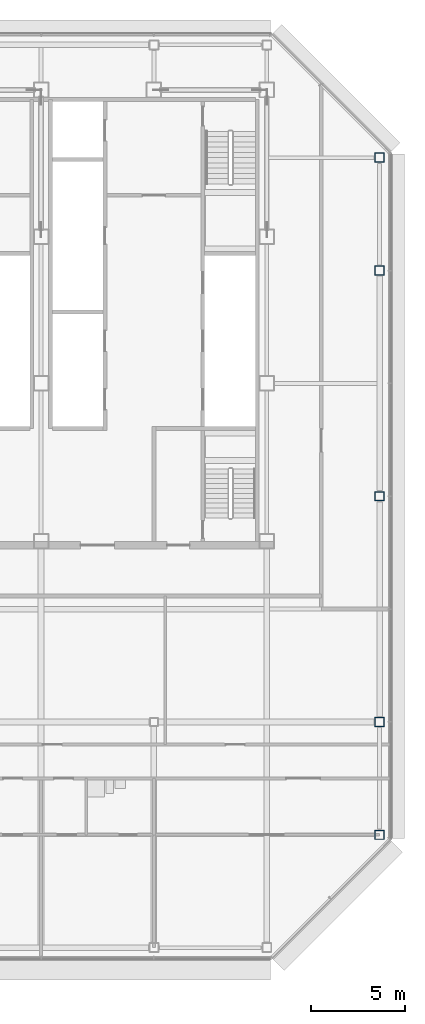
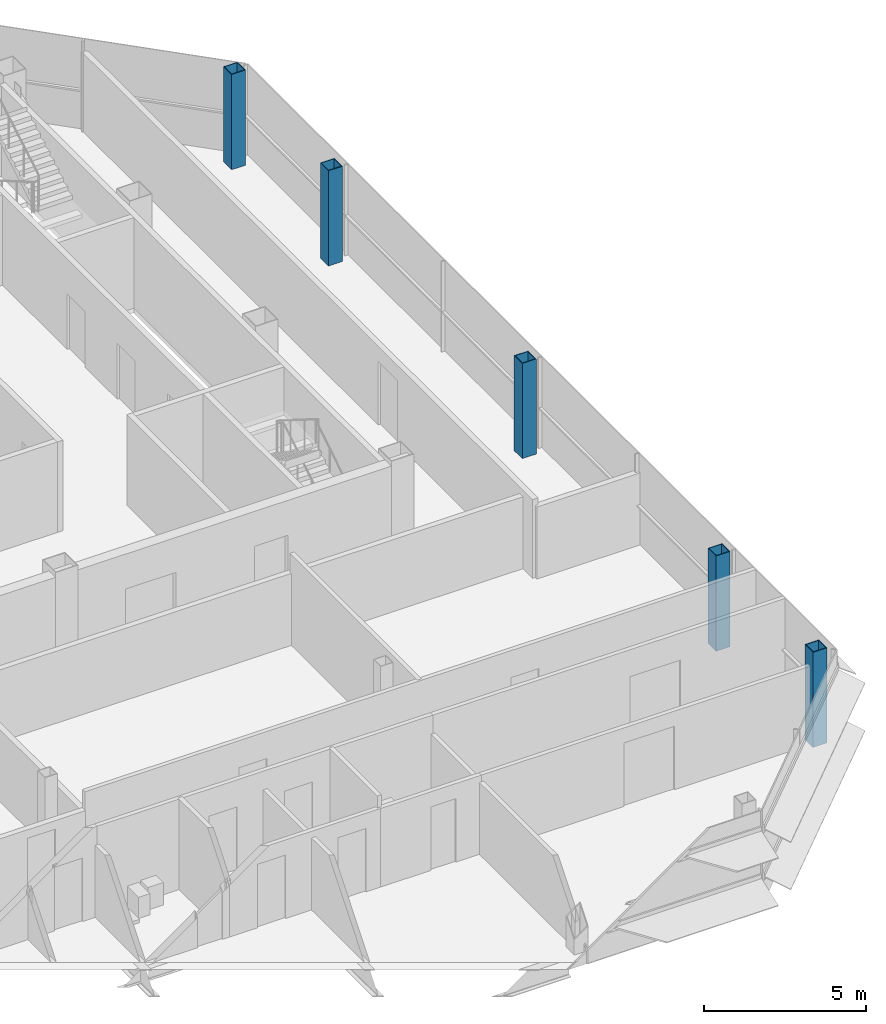
# One storey, part 3 of 28: 5 columns.
"""IFC4 building model written with IfcOpenShell, lengths in metres."""

from ifc_helpers import new_model, si_unit, direction, frame, origin, origin_2d, place, context, subcontext, project, spatial, hollow_rectangle, extrude, material, material_profile, profile_set, type_object, element, save


model = new_model("IFC4")

# Units and contexts
model_context = context("Model", 3, precision=1e-05, world=origin(), true_north=direction((0.0, 1.0)))
body_context = subcontext(model_context, "Body", "Model", "MODEL_VIEW")
ifc_project = project(units=[si_unit("LENGTHUNIT", "METRE"), si_unit("AREAUNIT", "SQUARE_METRE"), si_unit("VOLUMEUNIT", "CUBIC_METRE"), si_unit("PLANEANGLEUNIT", "RADIAN"), si_unit("MASSUNIT", "GRAM", prefix="KILO")], contexts=[model_context])

# Site, building, storey
site_placement = place(None, origin())
site = spatial("IfcSite", under=ifc_project, at=site_placement, CompositionType="ELEMENT")
building_placement = place(site_placement, origin())
building = spatial("IfcBuilding", under=site, at=building_placement, Name="Sorahane Residences", CompositionType="ELEMENT")
storey_placement = place(building_placement, frame((0.0, 0.0, 301.60009765625)))
storey = spatial("IfcBuildingStorey", under=building, at=storey_placement, Name="L71", CompositionType="ELEMENT", Elevation=301.60009765625)

# Columns
ifc_material = material(Name="Steel Q355B", Category="steel")
ifc_material_profile = material_profile(ifc_material, hollow_rectangle(XDim=0.5, YDim=0.5, WallThickness=0.02490234375, at=origin_2d()), Name="BOX 500x500x25")
ifc_profile_set = profile_set([ifc_material_profile], Name="Steel Q355B")
column_type = type_object("IfcColumnType", Name="Steel box column BOX 500x500x25 Q355B", PredefinedType="COLUMN", material=ifc_profile_set)
for number, where, z_axis, x_axis, name in (
    (1, (48.0, 6.0, 0.0), (0.0, 0.0, 1.0), (1.0, 0.0, 0.0), "Column L71 48/6"),
    (2, (48.0, 12.0, 0.0), (0.0, 0.0, 1.0), (1.0, 0.0, 0.0), "Column L71 48/12"),
    (3, (48.0, 24.0, 0.0), (0.0, 0.0, 1.0), (1.0, 0.0, 0.0), "Column L71 48/24"),
    (4, (48.0, 36.0, 0.0), (0.0, 0.0, 1.0), (1.0, 0.0, 0.0), "Column L71 48/36"),
    (5, (48.0, 42.0, 0.0), (0.0, 0.0, 1.0), (1.0, 0.0, 0.0), "Column L71 48/42"),
):
    element("IfcColumn", number, at=place(storey_placement, frame(where, z_axis=z_axis, x_axis=x_axis)), inside=storey, type_object=column_type, Name=name, PredefinedType="COLUMN", context=body_context, shape_type="SweptSolid", body=[
        extrude(hollow_rectangle(XDim=0.5, YDim=0.5, WallThickness=0.02490234375, at=origin_2d()), origin(), (0.0, 0.0, 1.0), 3.599853515625),
    ])

save(model, "model.ifc")
